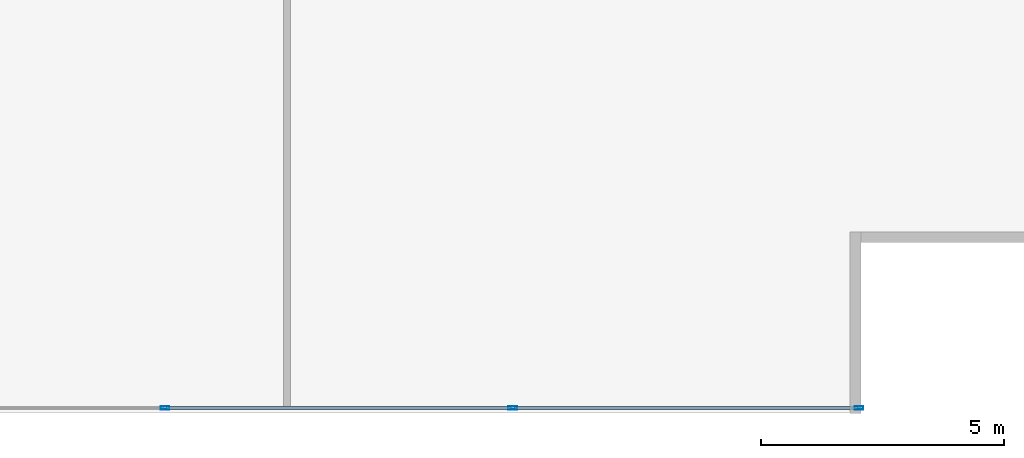
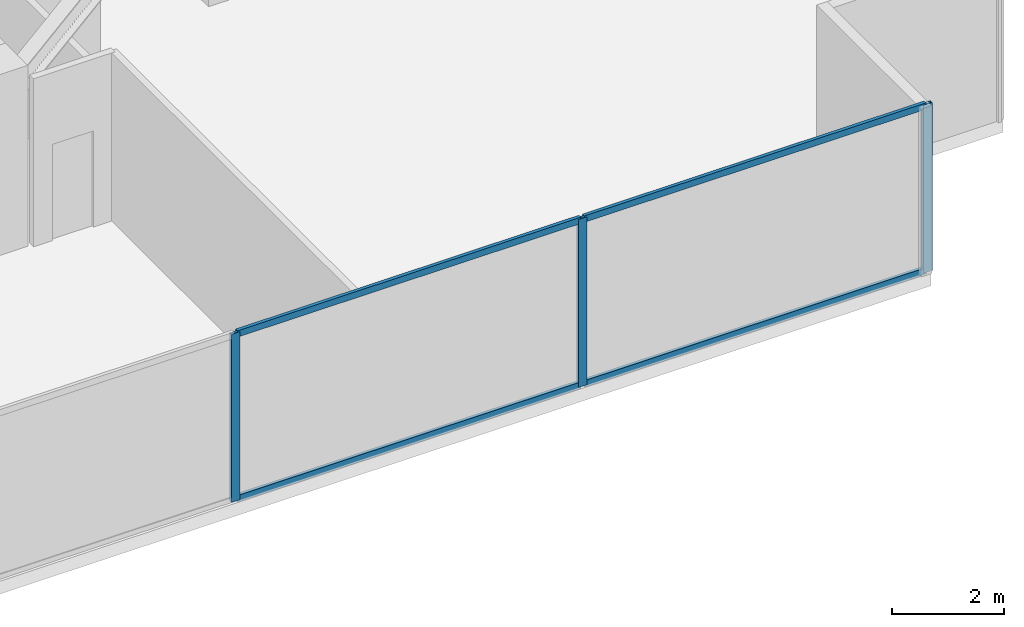
# One storey, part 10 of 28: 7 members, 1 element without a shape of its own.
"""IFC4 building model written with IfcOpenShell, lengths in metres."""

from ifc_helpers import new_model, si_unit, direction, frame, origin, origin_2d, place, context, subcontext, project, spatial, hollow_rectangle, extrude, source, transform, mapped, material, material_profile, profile_set, type_object, type_shapes, element, aggregate, save


model = new_model("IFC4")

# Units and contexts
model_context = context("Model", 3, precision=1e-05, world=origin(), true_north=direction((0.0, 1.0)))
body_context = subcontext(model_context, "Body", "Model", "MODEL_VIEW")
ifc_project = project(units=[si_unit("LENGTHUNIT", "METRE"), si_unit("AREAUNIT", "SQUARE_METRE"), si_unit("VOLUMEUNIT", "CUBIC_METRE"), si_unit("PLANEANGLEUNIT", "RADIAN"), si_unit("MASSUNIT", "GRAM", prefix="KILO")], contexts=[model_context])

# Site, building, storey
site_placement = place(None, origin())
site = spatial("IfcSite", under=ifc_project, at=site_placement, CompositionType="ELEMENT")
building_placement = place(site_placement, origin())
building = spatial("IfcBuilding", under=site, at=building_placement, Name="Krantzveldt Concourse Tower", CompositionType="ELEMENT")
storey_placement = place(building_placement, frame((0.0, 0.0, 32.89990234375)))
storey = spatial("IfcBuildingStorey", under=building, at=storey_placement, Name="L07", CompositionType="ELEMENT", Elevation=32.89990234375)

# Curtain wall, members
ifc_material = material(Name="Anodised aluminium 6063-T6", Category="aluminium")
curtain_wall_type = type_object("IfcCurtainWallType", Name="CW2", PredefinedType="USERDEFINED", material=ifc_material)
curtain_wall_placement = place(storey_placement, origin())
curtain_wall = element("IfcCurtainWall", 1, at=curtain_wall_placement, inside=storey, type_object=curtain_wall_type, Name="CW-L07-F04", ObjectType="UNITISED CURTAIN WALL", PredefinedType="USERDEFINED")
ifc_material_profile_1 = material_profile(ifc_material, hollow_rectangle(XDim=0.070068359375, YDim=0.139892578125, WallThickness=0.0048828125, at=origin_2d()), Name="Anodised aluminium 6063-T6", Category="aluminium")
ifc_profile_set_1 = profile_set([ifc_material_profile_1], Name="Anodised aluminium 6063-T6 - ALU-TRAN 140x70x5")
member_type_1 = type_object("IfcMemberType", Name="CW-TRN-150", PredefinedType="USERDEFINED", material=ifc_profile_set_1)
shared_shape_1 = source(origin(), body_context, "Body", "SweptSolid", [
    extrude(hollow_rectangle(XDim=0.070068359375, YDim=0.139892578125, WallThickness=0.0048828125, at=origin_2d()), origin(), (0.0, 0.0, 1.0), 7.0615234375),
])
member_1_placement = place(storey_placement, frame((50.368408203125, 1.7900390625, 0.03515625), z_axis=(1.0, 0.0, 0.0), x_axis=(0.0, 1.0, 0.0)))
member_1 = element("IfcMember", 2, at=member_1_placement, type_object=member_type_1, Name="CW-Z12 transom 6.1", ObjectType="TRANSOM", PredefinedType="USERDEFINED", context=body_context, shape_type="MappedRepresentation", body=[
    mapped(shared_shape_1, transform((0.0, 0.0, 0.0), x_axis=(1.0, 0.0, 0.0), y_axis=(0.0, 1.0, 0.0), z_axis=(0.0, 0.0, 1.0), scale=1.0)),
])
member_2_placement = place(storey_placement, frame((50.368408203125, 1.7900390625, 3.635009765625), z_axis=(1.0, 0.0, 0.0), x_axis=(0.0, 1.0, 0.0)))
member_2 = element("IfcMember", 3, at=member_2_placement, type_object=member_type_1, Name="CW-Z12 transom 6.2", ObjectType="TRANSOM", PredefinedType="USERDEFINED", context=body_context, shape_type="MappedRepresentation", body=[
    mapped(shared_shape_1, transform((0.0, 0.0, 0.0), x_axis=(1.0, 0.0, 0.0), y_axis=(0.0, 1.0, 0.0), z_axis=(0.0, 0.0, 1.0), scale=1.0)),
])
shared_shape_2 = source(origin(), body_context, "Body", "SweptSolid", [
    extrude(hollow_rectangle(XDim=0.070068359375, YDim=0.139892578125, WallThickness=0.0048828125, at=origin_2d()), origin(), (0.0, 0.0, 1.0), 7.0966796875),
])
type_shapes(member_type_1, [shared_shape_1, shared_shape_2])
member_3_placement = place(storey_placement, frame((43.20166015625, 1.7900390625, 0.03515625), z_axis=(1.0, 0.0, 0.0), x_axis=(0.0, 1.0, 0.0)))
member_3 = element("IfcMember", 4, at=member_3_placement, type_object=member_type_1, Name="CW-Z12 transom 5.1", ObjectType="TRANSOM", PredefinedType="USERDEFINED", context=body_context, shape_type="MappedRepresentation", body=[
    mapped(shared_shape_2, transform((0.0, 0.0, 0.0), x_axis=(1.0, 0.0, 0.0), y_axis=(0.0, 1.0, 0.0), z_axis=(0.0, 0.0, 1.0), scale=1.0)),
])
member_4_placement = place(storey_placement, frame((43.20166015625, 1.7900390625, 3.635009765625), z_axis=(1.0, 0.0, 0.0), x_axis=(0.0, 1.0, 0.0)))
member_4 = element("IfcMember", 5, at=member_4_placement, type_object=member_type_1, Name="CW-Z12 transom 5.2", ObjectType="TRANSOM", PredefinedType="USERDEFINED", context=body_context, shape_type="MappedRepresentation", body=[
    mapped(shared_shape_2, transform((0.0, 0.0, 0.0), x_axis=(1.0, 0.0, 0.0), y_axis=(0.0, 1.0, 0.0), z_axis=(0.0, 0.0, 1.0), scale=1.0)),
])
ifc_material_profile_2 = material_profile(ifc_material, hollow_rectangle(XDim=0.070068359375, YDim=0.179931640625, WallThickness=0.0048828125, at=origin_2d()), Name="Anodised aluminium 6063-T6", Category="aluminium")
ifc_profile_set_2 = profile_set([ifc_material_profile_2], Name="Anodised aluminium 6063-T6 - ALU-MULL 180x70x5")
member_type_2 = type_object("IfcMemberType", Name="CW-MUL-180", PredefinedType="MULLION", material=ifc_profile_set_2)
shared_shape_3 = source(origin(), body_context, "Body", "SweptSolid", [
    extrude(hollow_rectangle(XDim=0.070068359375, YDim=0.179931640625, WallThickness=0.0048828125, at=origin_2d()), origin(), (0.0, 0.0, 1.0), 3.670166015625),
])
type_shapes(member_type_2, [shared_shape_3])
member_5_placement = place(storey_placement, frame((43.166748046875, 1.7900390625, 0.0), z_axis=(0.0, 0.0, 1.0), x_axis=(0.0, 1.0, 0.0)))
member_5 = element("IfcMember", 6, at=member_5_placement, type_object=member_type_2, Name="CW-Z12 mullion 5", PredefinedType="MULLION", context=body_context, shape_type="MappedRepresentation", body=[
    mapped(shared_shape_3, transform((0.0, 0.0, 0.0), x_axis=(1.0, 0.0, 0.0), y_axis=(0.0, 1.0, 0.0), z_axis=(0.0, 0.0, 1.0), scale=1.0)),
])
member_6_placement = place(storey_placement, frame((50.333251953125, 1.7900390625, 0.0), z_axis=(0.0, 0.0, 1.0), x_axis=(0.0, 1.0, 0.0)))
member_6 = element("IfcMember", 7, at=member_6_placement, type_object=member_type_2, Name="CW-Z12 mullion 6", PredefinedType="MULLION", context=body_context, shape_type="MappedRepresentation", body=[
    mapped(shared_shape_3, transform((0.0, 0.0, 0.0), x_axis=(1.0, 0.0, 0.0), y_axis=(0.0, 1.0, 0.0), z_axis=(0.0, 0.0, 1.0), scale=1.0)),
])
member_7_placement = place(storey_placement, frame((57.465087890625, 1.7900390625, 0.0), z_axis=(0.0, 0.0, 1.0), x_axis=(0.0, 1.0, 0.0)))
member_7 = element("IfcMember", 8, at=member_7_placement, type_object=member_type_2, Name="CW-Z12 mullion 7", PredefinedType="MULLION", context=body_context, shape_type="MappedRepresentation", body=[
    mapped(shared_shape_3, transform((0.0, 0.0, 0.0), x_axis=(1.0, 0.0, 0.0), y_axis=(0.0, 1.0, 0.0), z_axis=(0.0, 0.0, 1.0), scale=1.0)),
])
aggregate(curtain_wall, [member_5, member_6, member_7, member_3, member_4, member_1, member_2])

save(model, "model.ifc")
